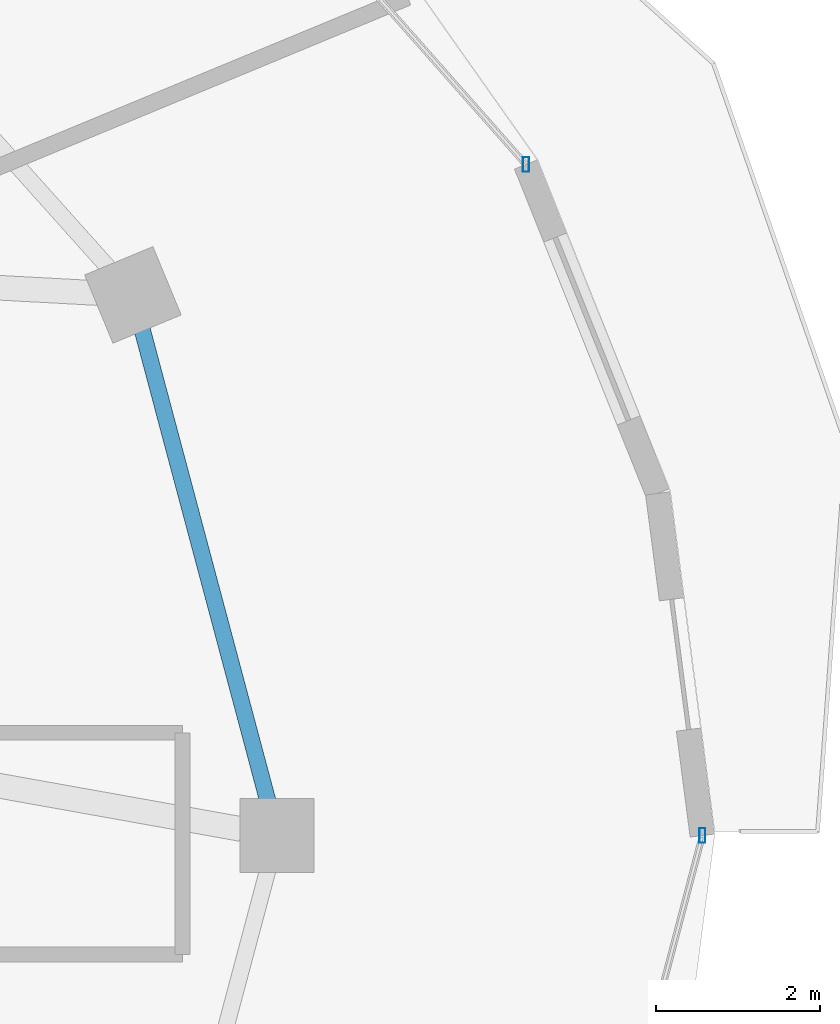
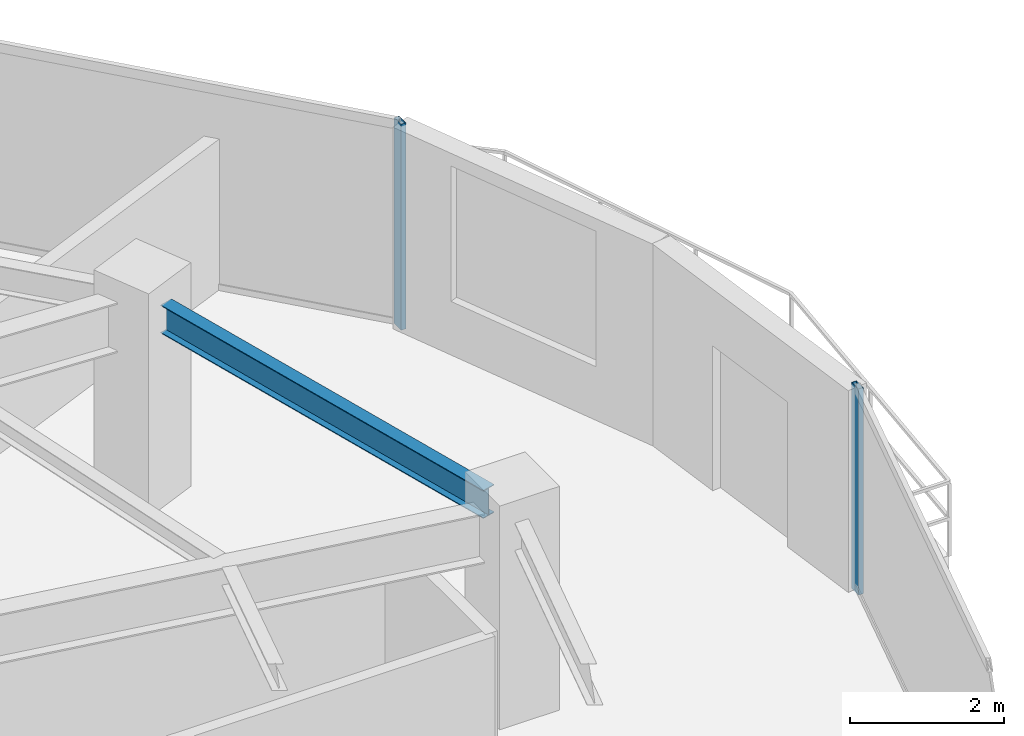
# One storey, part 15 of 33: 2 members, 1 beam, 2 elements without a shape of their own.
"""IFC4 building model written with IfcOpenShell, lengths in metres."""

import ifcopenshell
import ifcopenshell.guid

model = None  # the IFC model being written
_history = None  # IfcOwnerHistory: only IFC2X3 demands one
_inside = {}  # id of a spatial element -> (the spatial element, [elements in it])
_under = {}  # id of a project, library or spatial element -> (it, [spatial elements below it])
_declared = {}  # id of a project -> (the project, [libraries it declares])
_typed = {}  # id of a type object -> (the type object, [elements of that type])
_made_of = {}  # id of a material, layer set ... -> (it, [elements and type objects made of it])


def new_model(schema):
    """Start an empty IFC model of exactly this schema.

    Asked for "IFC4X3", IfcOpenShell would pick the latest addendum, in which some entities
    have other attributes; the version numbers below select the first issue.
    IFC2X3 requires an IfcOwnerHistory on every rooted entity: one is made here for all.
    """
    global model, _history
    if schema == "IFC4X3":
        model = ifcopenshell.file(schema_version=(4, 3, 0, 0))
    else:
        model = ifcopenshell.file(schema=schema)
    _inside.clear()
    _under.clear()
    _declared.clear()
    _typed.clear()
    _made_of.clear()
    _history = None
    if model.schema == "IFC2X3":
        org = make("IfcOrganization", Name="unknown")
        user = make(
            "IfcPersonAndOrganization",
            ThePerson=make("IfcPerson", FamilyName="unknown"),
            TheOrganization=org,
        )
        app = make(
            "IfcApplication",
            ApplicationDeveloper=org,
            Version="unknown",
            ApplicationFullName="unknown",
            ApplicationIdentifier="unknown",
        )
        _history = make(
            "IfcOwnerHistory",
            OwningUser=user,
            OwningApplication=app,
            ChangeAction="ADDED",
            CreationDate=0,
        )
    return model


def make(cls, **values):
    """One entity of the class cls with the attributes given. An attribute that is None is left unset."""
    return model.create_entity(
        cls, **{name: value for name, value in values.items() if value is not None}
    )


def rooted(cls, **values):
    """An entity with a GlobalId (a new one), such as an element, a storey or a relation."""
    return make(cls, GlobalId=ifcopenshell.guid.new(), OwnerHistory=_history, **values)


def si_unit(unit_type, name, prefix=None):
    """IfcSIUnit, for example si_unit("LENGTHUNIT", "METRE", prefix="MILLI")."""
    return make("IfcSIUnit", UnitType=unit_type, Prefix=prefix, Name=name)


def assignment(units):
    """IfcUnitAssignment: the units of a project."""
    return None if units is None else make("IfcUnitAssignment", Units=units)


def point(xyz):
    """IfcCartesianPoint."""
    return None if xyz is None else make("IfcCartesianPoint", Coordinates=xyz)


def direction(xyz):
    """IfcDirection."""
    return None if xyz is None else make("IfcDirection", DirectionRatios=xyz)


def frame(location, z_axis=None, x_axis=None):
    """IfcAxis2Placement3D, a coordinate frame: its origin and axes. An axis left out is left unset."""
    return make(
        "IfcAxis2Placement3D",
        Location=point(location),
        Axis=direction(z_axis),
        RefDirection=direction(x_axis),
    )


def frame_2d(location, x_axis=None):
    """IfcAxis2Placement2D, a coordinate frame in the plane: its origin and x axis."""
    return make(
        "IfcAxis2Placement2D", Location=point(location), RefDirection=direction(x_axis)
    )


def origin():
    """The frame at (0, 0, 0) with its axes left unset."""
    return frame((0.0, 0.0, 0.0))


def origin_2d():
    """The frame at (0, 0) in the plane with its x axis left unset."""
    return frame_2d((0.0, 0.0))


def place(relative_to, where):
    """IfcLocalPlacement: puts the frame where relative to a parent placement (None: the world)."""
    return make(
        "IfcLocalPlacement", PlacementRelTo=relative_to, RelativePlacement=where
    )


def context(
    kind, dimensions, precision=None, world=None, true_north=None, identifier=None
):
    """IfcGeometricRepresentationContext, for example the 3D "Model" context."""
    return make(
        "IfcGeometricRepresentationContext",
        ContextIdentifier=identifier,
        ContextType=kind,
        CoordinateSpaceDimension=dimensions,
        Precision=precision,
        WorldCoordinateSystem=world,
        TrueNorth=true_north,
    )


def subcontext(parent, identifier, kind, view, scale=None):
    """IfcGeometricRepresentationSubContext, for example "Body" below "Model"."""
    return make(
        "IfcGeometricRepresentationSubContext",
        ContextIdentifier=identifier,
        ContextType=kind,
        ParentContext=parent,
        TargetScale=scale,
        TargetView=view,
    )


def project(units=None, contexts=None):
    """IfcProject with its units and contexts."""
    return rooted(
        "IfcProject",
        Name="project",
        RepresentationContexts=contexts,
        UnitsInContext=assignment(units),
    )


def spatial(cls, under=None, at=None, **own):
    """A site, building, storey or space (cls), placed at a placement, below another one or the project."""
    s = rooted(cls, ObjectPlacement=at, **own)
    if under is not None:
        _under.setdefault(under.id(), (under, []))[1].append(s)
    return s


def profile(cls, at=None, kind="AREA", **sizes):
    """A parametric profile (cls). Its sizes go by their IFC names, for example OverallWidth=200.0."""
    return make(cls, ProfileType=kind, Position=at, **sizes)


def hollow_rectangle(**sizes):
    """IfcRectangleHollowProfileDef."""
    return profile("IfcRectangleHollowProfileDef", **sizes)


def i_section(**sizes):
    """IfcIShapeProfileDef."""
    return profile("IfcIShapeProfileDef", **sizes)


def extrude(swept, where, along, depth):
    """IfcExtrudedAreaSolid: the profile swept, set in the frame where, extruded along a direction by depth."""
    return make(
        "IfcExtrudedAreaSolid",
        SweptArea=swept,
        Position=where,
        ExtrudedDirection=direction(along),
        Depth=depth,
    )


def shape(context_of_items, identifier, shape_type, items):
    """IfcShapeRepresentation: the items that make up one representation, for example the "Body"."""
    return make(
        "IfcShapeRepresentation",
        ContextOfItems=context_of_items,
        RepresentationIdentifier=identifier,
        RepresentationType=shape_type,
        Items=items,
    )


def material(Name=None, Category=None):
    """IfcMaterial."""
    return make("IfcMaterial", Name=Name, Category=Category)


def material_profile(
    of_material, cross_section, Name=None, Category=None, Priority=None
):
    """IfcMaterialProfile: a cross section and its material."""
    return make(
        "IfcMaterialProfile",
        Name=Name,
        Material=of_material,
        Profile=cross_section,
        Priority=Priority,
        Category=Category,
    )


def profile_set(profiles, Name=None, composite=None):
    """IfcMaterialProfileSet."""
    return make(
        "IfcMaterialProfileSet",
        Name=Name,
        MaterialProfiles=profiles,
        CompositeProfile=composite,
    )


def made_of(thing, what):
    """Note that an element or type object is made of a material, layer set ...; save() writes the relation."""
    if what is not None:
        _made_of.setdefault(what.id(), (what, []))[1].append(thing)
    return thing


def type_object(cls, material=None, **own):
    """A type object (cls), such as IfcWallType, which elements share."""
    return made_of(rooted(cls, **own), material)


def element(
    cls,
    number,
    at=None,
    inside=None,
    cuts=None,
    type_object=None,
    material=None,
    context=None,
    identifier="Body",
    shape_type=None,
    held_by="IfcProductDefinitionShape",
    body=None,
    shapes=None,
    **own,
):
    """One element of the class cls, such as IfcWall. Its Tag is "e" and its number.

    at: its placement. inside: the storey or other place that contains it. cuts: it is an
    opening in that element (IfcRelVoidsElement). A single representation is given by context,
    identifier, shape_type and body (its items); several are given by shapes. held_by: the class
    of the entity that holds the representations. save() writes the other relations.
    """
    e = rooted(cls, Tag="e%d" % number, ObjectPlacement=at, **own)
    if body is not None:
        shapes = [shape(context, identifier, shape_type, body)]
    if shapes is not None:
        e.Representation = make(held_by, Representations=shapes)
    if inside is not None:
        _inside.setdefault(inside.id(), (inside, []))[1].append(e)
    if cuts is not None:
        rooted(
            "IfcRelVoidsElement", RelatingBuildingElement=cuts, RelatedOpeningElement=e
        )
    if type_object is not None:
        _typed.setdefault(type_object.id(), (type_object, []))[1].append(e)
    return made_of(e, material)


def aggregate(whole, parts):
    """IfcRelAggregates: a whole, such as a stair, and the parts it consists of."""
    return rooted("IfcRelAggregates", RelatingObject=whole, RelatedObjects=parts)


def save(model, path):
    """Write the relations noted so far, then the file.

    IfcRelAggregates (storeys below a building ...), IfcRelContainedInSpatialStructure (elements
    in a storey), IfcRelDefinesByType, IfcRelAssociatesMaterial and IfcRelDeclares: one each for
    every whole, place, type object, material and project.
    """
    for whole, parts in _under.values():
        aggregate(whole, parts)
    for where, things in _inside.values():
        rooted(
            "IfcRelContainedInSpatialStructure",
            RelatedElements=things,
            RelatingStructure=where,
        )
    for kind, things in _typed.values():
        rooted("IfcRelDefinesByType", RelatedObjects=things, RelatingType=kind)
    for what, things in _made_of.values():
        rooted("IfcRelAssociatesMaterial", RelatedObjects=things, RelatingMaterial=what)
    for by, libraries in _declared.values():
        rooted("IfcRelDeclares", RelatingContext=by, RelatedDefinitions=libraries)
    model.write(path)


model = new_model("IFC4")

# Units and contexts
model_context = context("Model", 3, precision=1e-05, world=origin(), true_north=direction((0.0, 1.0)))
body_context = subcontext(model_context, "Body", "Model", "MODEL_VIEW")
ifc_project = project(units=[si_unit("LENGTHUNIT", "METRE"), si_unit("AREAUNIT", "SQUARE_METRE"), si_unit("VOLUMEUNIT", "CUBIC_METRE"), si_unit("PLANEANGLEUNIT", "RADIAN"), si_unit("MASSUNIT", "GRAM", prefix="KILO")], contexts=[model_context])

# Site, building, storey
site_placement = place(None, origin())
site = spatial("IfcSite", under=ifc_project, at=site_placement, CompositionType="ELEMENT")
building_placement = place(site_placement, origin())
building = spatial("IfcBuilding", under=site, at=building_placement, Name="Vorneva Point Tower", CompositionType="ELEMENT")
storey_placement = place(building_placement, frame((0.0, 0.0, 221.39990234375)))
storey = spatial("IfcBuildingStorey", under=building, at=storey_placement, Name="L60", CompositionType="ELEMENT", Elevation=221.39990234375)

# Beam
ifc_material_1 = material(Name="Steel S355", Category="steel")
ifc_material_profile_1 = material_profile(ifc_material_1, i_section(OverallWidth=0.198974609375, OverallDepth=0.446044921875, WebThickness=0.008056640625, FlangeThickness=0.011962890625, at=origin_2d()), Name="45B1")
ifc_profile_set_1 = profile_set([ifc_material_profile_1], Name="Steel S355")
beam_type = type_object("IfcBeamType", Name="BM-SPN-45B1", PredefinedType="SPANDREL", material=ifc_profile_set_1)
beam_placement = place(storey_placement, frame((60.93798828125, 26.42041015625, 2.97705078125), z_axis=(-0.257578258003, 0.966257440336, 0.0), x_axis=(-0.966257440336, -0.257578258003, 0.0)))
element("IfcBeam", 1, at=beam_placement, inside=storey, type_object=beam_type, Name="L60 Perimeter Spandrel Ring Beam 01", PredefinedType="SPANDREL", context=body_context, shape_type="SweptSolid", body=[
    extrude(i_section(OverallWidth=0.198974609375, OverallDepth=0.446044921875, WebThickness=0.008056640625, FlangeThickness=0.011962890625, at=origin_2d()), origin(), (0.0, 0.0, 1.0), 5.94189453125),
])

# Curtain wall, member
ifc_material_2 = material(Name="Pale anodised aluminium", Category="aluminium")
curtain_wall_type = type_object("IfcCurtainWallType", Name="CW-RES-SYS", PredefinedType="NOTDEFINED", material=ifc_material_2)
curtain_wall_1_placement = place(storey_placement, origin())
curtain_wall_1 = element("IfcCurtainWall", 2, at=curtain_wall_1_placement, inside=storey, type_object=curtain_wall_type, Name="L60 Unitised Curtain Wall CW-L60-R01", PredefinedType="NOTDEFINED")
ifc_material_profile_2 = material_profile(ifc_material_2, hollow_rectangle(XDim=0.074951171875, YDim=0.179931640625, WallThickness=0.00390625, at=origin_2d()), Name="AL-MUL 180x75x4")
ifc_profile_set_2 = profile_set([ifc_material_profile_2], Name="Pale anodised aluminium")
member_type = type_object("IfcMemberType", Name="CW-MUL-180", PredefinedType="MULLION", material=ifc_profile_set_2)
member_1_placement = place(storey_placement, frame((64.0810546875, 34.17041015625, -0.039794921875), z_axis=(0.0, 0.0, 1.0), x_axis=(1.0, 0.0, 0.0)))
member_1 = element("IfcMember", 3, at=member_1_placement, type_object=member_type, Name="CW-L60-R01 Mullion 01", PredefinedType="MULLION", context=body_context, shape_type="SweptSolid", body=[
    extrude(hollow_rectangle(XDim=0.074951171875, YDim=0.179931640625, WallThickness=0.00390625, at=origin_2d()), origin(), (0.0, 0.0, 1.0), 3.269775390625),
])
aggregate(curtain_wall_1, [member_1])

curtain_wall_2_placement = place(storey_placement, origin())
curtain_wall_2 = element("IfcCurtainWall", 4, at=curtain_wall_2_placement, inside=storey, type_object=curtain_wall_type, Name="L60 Unitised Curtain Wall CW-L60-R04", PredefinedType="NOTDEFINED")
member_2_placement = place(storey_placement, frame((66.22998046875, 26.0, -0.039794921875), z_axis=(0.0, 0.0, 1.0), x_axis=(1.0, 0.0, 0.0)))
member_2 = element("IfcMember", 5, at=member_2_placement, type_object=member_type, Name="CW-L60-R04 Mullion 03", PredefinedType="MULLION", context=body_context, shape_type="SweptSolid", body=[
    extrude(hollow_rectangle(XDim=0.074951171875, YDim=0.179931640625, WallThickness=0.00390625, at=origin_2d()), origin(), (0.0, 0.0, 1.0), 3.269775390625),
])
aggregate(curtain_wall_2, [member_2])

save(model, "model.ifc")
